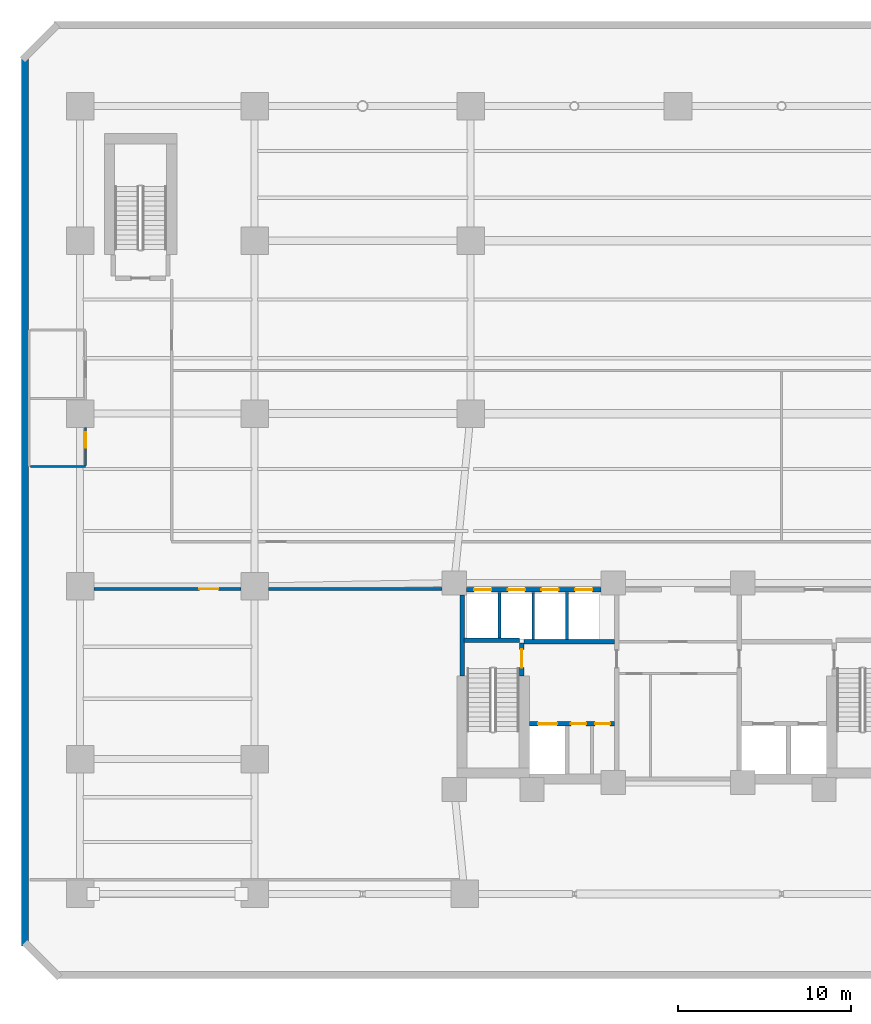
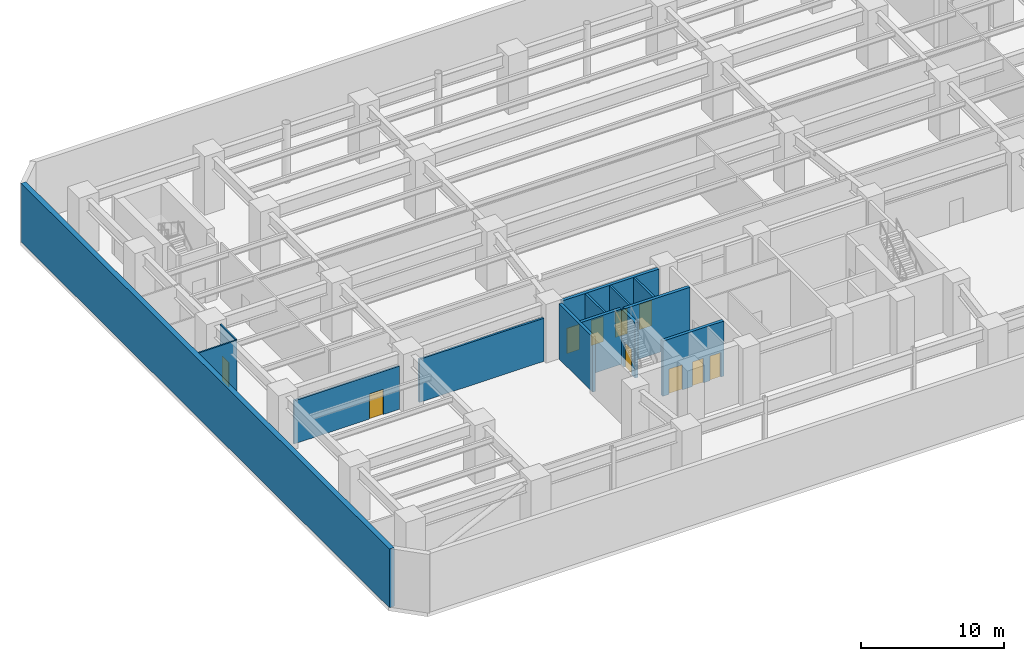
# One storey, part 6 of 12: 14 walls, 10 doors, 10 openings.
"""IFC4 building model written with IfcOpenShell, lengths in metres."""

from ifc_helpers import new_model, si_unit, direction, frame, frame_2d, origin, place, context, subcontext, project, spatial, rectangle, extrude, material, layer, layer_set, type_object, element, fill, save


model = new_model("IFC4")

# Units and contexts
model_context = context("Model", 3, precision=1e-05, world=origin(), true_north=direction((0.0, 1.0)))
body_context = subcontext(model_context, "Body", "Model", "MODEL_VIEW")
ifc_project = project(units=[si_unit("LENGTHUNIT", "METRE"), si_unit("AREAUNIT", "SQUARE_METRE"), si_unit("VOLUMEUNIT", "CUBIC_METRE"), si_unit("PLANEANGLEUNIT", "RADIAN"), si_unit("MASSUNIT", "GRAM", prefix="KILO")], contexts=[model_context])

# Site, building, storey
site_placement = place(None, origin())
site = spatial("IfcSite", under=ifc_project, at=site_placement, CompositionType="ELEMENT")
building_placement = place(site_placement, origin())
building = spatial("IfcBuilding", under=site, at=building_placement, Name="Quenlor Broadcast Tower", CompositionType="ELEMENT")
storey_placement = place(building_placement, frame((0.0, 0.0, -5.0)))
storey = spatial("IfcBuildingStorey", under=building, at=storey_placement, Name="B01", CompositionType="ELEMENT", Elevation=-5.0)

# Wall, opening, door
ifc_material_1 = material(Name="Concrete C40/50", Category="concrete")
ifc_layer_1 = layer(ifc_material_1, 0.25)
ifc_layer_set_1 = layer_set([ifc_layer_1], Name="Fire Rated Concrete C40/50 Core Wall 250")
wall_type_1 = type_object("IfcWallType", Name="Fire Rated Concrete C40/50 Core Wall 250", PredefinedType="PARTITIONING", material=ifc_layer_set_1)
wall_1_placement = place(storey_placement, frame((-9.0400390625, -10.179931640625, 0.0), z_axis=(0.0, 0.0, 1.0), x_axis=(0.0, 1.0, 0.0)))
wall_1 = element("IfcWall", 1, at=wall_1_placement, inside=storey, type_object=wall_type_1, Name="B01 Interior Wall CW-ST1-DR", PredefinedType="PARTITIONING", context=body_context, shape_type="SweptSolid", body=[
    extrude(rectangle(XDim=1.89990234375, YDim=0.25, at=frame_2d((0.949951171875, 0.0))), origin(), (0.0, 0.0, 1.0), 4.699951171875),
])
opening_1_placement = place(wall_1_placement, frame((0.47998046875, 0.0, 0.0)))
opening_1 = element("IfcOpeningElement", 2, at=opening_1_placement, cuts=wall_1, Name="Opening FD-1", PredefinedType="OPENING", context=body_context, shape_type="SweptSolid", body=[
    extrude(rectangle(XDim=1.050048828125, YDim=2.14990234375, at=frame_2d((0.52490234375, 1.074951171875))), frame((0.0, 0.135009765625, 0.0), z_axis=(0.0, -1.0, 0.0), x_axis=(1.0, 0.0, 0.0)), (0.0, 0.0, 1.0), 0.27001953125),
])
ifc_material_2 = material(Name="Fire Rated Steel Door Leaf", Category="steel")
door_type_1 = type_object("IfcDoorType", Name="Fire Isolated Stair Door 1050x2150", OperationType="NOTDEFINED", PredefinedType="DOOR", material=ifc_material_2)
door_1_placement = place(opening_1_placement, origin())
door_1 = element("IfcDoor", 3, at=door_1_placement, inside=storey, type_object=door_type_1, Name="B01 Door DR-ST1", OperationType="SINGLE_SWING_LEFT", OverallHeight=2.14990234375, OverallWidth=1.050048828125, PredefinedType="DOOR", context=body_context, shape_type="SweptSolid", body=[
    extrude(rectangle(XDim=1.050048828125, YDim=2.14990234375, at=frame_2d((0.52490234375, 1.074951171875))), frame((0.0, 0.02490234375, 0.0), z_axis=(0.0, -1.0, 0.0), x_axis=(1.0, 0.0, 0.0)), (0.0, 0.0, 1.0), 0.050048828125),
])
fill(opening_1, door_1)

# Walls
wall_2_placement = place(storey_placement, frame((-12.3798828125, -8.1201171875, 0.0), z_axis=(0.0, 0.0, 1.0), x_axis=(1.0, 0.0, 0.0)))
element("IfcWall", 4, at=wall_2_placement, inside=storey, type_object=wall_type_1, Name="B01 Interior Wall CW-ST1-N", PredefinedType="PARTITIONING", context=body_context, shape_type="SweptSolid", body=[
    extrude(rectangle(XDim=3.219970703125, YDim=0.25, at=frame_2d((1.60986328125, 0.0))), origin(), (0.0, 0.0, 1.0), 4.699951171875),
])
wall_3_placement = place(storey_placement, frame((-12.47998046875, -10.179931640625, 0.0), z_axis=(0.0, 0.0, 1.0), x_axis=(0.0, 1.0, 0.0)))
element("IfcWall", 5, at=wall_3_placement, inside=storey, type_object=wall_type_1, Name="B01 Interior Wall CW-ST1-W2", PredefinedType="PARTITIONING", context=body_context, shape_type="SweptSolid", body=[
    extrude(rectangle(XDim=4.677978515625, YDim=0.25, at=frame_2d((2.3388671875, 0.0))), origin(), (0.0, 0.0, 1.0), 4.699951171875),
])

# Wall, openings, doors
wall_4_placement = place(storey_placement, frame((-8.597900390625, -12.949951171875, 0.0), z_axis=(0.0, 0.0, 1.0), x_axis=(1.0, 0.0, 0.0)))
wall_4 = element("IfcWall", 6, at=wall_4_placement, inside=storey, type_object=wall_type_1, Name="B01 Interior Wall CW-FFW-S", PredefinedType="PARTITIONING", context=body_context, shape_type="SweptSolid", body=[
    extrude(rectangle(XDim=4.91796875, YDim=0.25, at=frame_2d((2.458984375, 0.0))), origin(), (0.0, 0.0, 1.0), 4.699951171875),
])
opening_2_placement = place(wall_4_placement, frame((0.498046875, 0.0, 0.0)))
opening_2 = element("IfcOpeningElement", 7, at=opening_2_placement, cuts=wall_4, Name="Opening LD-FFL-1", PredefinedType="OPENING", context=body_context, shape_type="SweptSolid", body=[
    extrude(rectangle(XDim=1.10009765625, YDim=2.14990234375, at=frame_2d((0.550048828125, 1.074951171875))), frame((0.0, 0.135009765625, 0.0), z_axis=(0.0, -1.0, 0.0), x_axis=(1.0, 0.0, 0.0)), (0.0, 0.0, 1.0), 0.27001953125),
])
opening_3_placement = place(wall_4_placement, frame((2.39794921875, 0.0, 0.0)))
opening_3 = element("IfcOpeningElement", 8, at=opening_3_placement, cuts=wall_4, Name="Opening TD-1", PredefinedType="OPENING", context=body_context, shape_type="SweptSolid", body=[
    extrude(rectangle(XDim=0.8798828125, YDim=2.10009765625, at=frame_2d((0.43994140625, 1.050048828125))), frame((0.0, 0.135009765625, 0.0), z_axis=(0.0, -1.0, 0.0), x_axis=(1.0, 0.0, 0.0)), (0.0, 0.0, 1.0), 0.27001953125),
])
opening_4_placement = place(wall_4_placement, frame((3.798095703125, 0.0, 0.0)))
opening_4 = element("IfcOpeningElement", 9, at=opening_4_placement, cuts=wall_4, Name="Opening TD-1", PredefinedType="OPENING", context=body_context, shape_type="SweptSolid", body=[
    extrude(rectangle(XDim=0.8798828125, YDim=2.10009765625, at=frame_2d((0.43994140625, 1.050048828125))), frame((0.0, 0.135009765625, 0.0), z_axis=(0.0, -1.0, 0.0), x_axis=(1.0, 0.0, 0.0)), (0.0, 0.0, 1.0), 0.27001953125),
])
ifc_material_3 = material(Name="Brushed Stainless Steel", Category="steel")
door_type_2 = type_object("IfcDoorType", Name="Emergency Lift Sliding Landing Door 1100x2150", OperationType="NOTDEFINED", PredefinedType="DOOR", material=ifc_material_3)
door_2_placement = place(opening_2_placement, origin())
door_2 = element("IfcDoor", 10, at=door_2_placement, inside=storey, type_object=door_type_2, Name="B01 Door LD-FFL-1", OperationType="SLIDING_TO_LEFT", OverallHeight=2.14990234375, OverallWidth=1.10009765625, PredefinedType="DOOR", context=body_context, shape_type="SweptSolid", body=[
    extrude(rectangle(XDim=1.10009765625, YDim=2.14990234375, at=frame_2d((0.550048828125, 1.074951171875))), frame((0.0, 0.02490234375, 0.0), z_axis=(0.0, -1.0, 0.0), x_axis=(1.0, 0.0, 0.0)), (0.0, 0.0, 1.0), 0.050048828125),
])
fill(opening_2, door_2)
ifc_material_4 = material(Name="Fire Rated Steel Access Panel", Category="steel")
door_type_3 = type_object("IfcDoorType", Name="Riser Shaft Rated Access Trapdoor 880x2100", OperationType="NOTDEFINED", PredefinedType="TRAPDOOR", material=ifc_material_4)
door_3_placement = place(opening_3_placement, origin())
door_3 = element("IfcDoor", 11, at=door_3_placement, inside=storey, type_object=door_type_3, Name="B01 Door DR-ELR", OperationType="SINGLE_SWING_LEFT", OverallHeight=2.10009765625, OverallWidth=0.8798828125, PredefinedType="TRAPDOOR", context=body_context, shape_type="SweptSolid", body=[
    extrude(rectangle(XDim=0.8798828125, YDim=2.10009765625, at=frame_2d((0.43994140625, 1.050048828125))), frame((0.0, 0.02490234375, 0.0), z_axis=(0.0, -1.0, 0.0), x_axis=(1.0, 0.0, 0.0)), (0.0, 0.0, 1.0), 0.050048828125),
])
fill(opening_3, door_3)
door_4_placement = place(opening_4_placement, origin())
door_4 = element("IfcDoor", 12, at=door_4_placement, inside=storey, type_object=door_type_3, Name="B01 Door DR-CMR", OperationType="SINGLE_SWING_RIGHT", OverallHeight=2.10009765625, OverallWidth=0.8798828125, PredefinedType="TRAPDOOR", context=body_context, shape_type="SweptSolid", body=[
    extrude(rectangle(XDim=0.8798828125, YDim=2.10009765625, at=frame_2d((0.43994140625, 1.050048828125))), frame((0.0, 0.02490234375, 0.0), z_axis=(0.0, -1.0, 0.0), x_axis=(1.0, 0.0, 0.0)), (0.0, 0.0, 1.0), 0.050048828125),
])
fill(opening_4, door_4)

# Wall
wall_5_placement = place(storey_placement, frame((-8.919921875, -8.199951171875, 0.0), z_axis=(0.0, 0.0, 1.0), x_axis=(1.0, 0.0, 0.0)))
element("IfcWall", 13, at=wall_5_placement, inside=storey, type_object=wall_type_1, Name="B01 Interior Wall CW-FFW-N", PredefinedType="PARTITIONING", context=body_context, shape_type="SweptSolid", body=[
    extrude(rectangle(XDim=5.239990234375, YDim=0.25, at=frame_2d((2.6201171875, 0.0))), origin(), (0.0, 0.0, 1.0), 4.699951171875),
])

# Wall, openings, doors
wall_6_placement = place(storey_placement, frame((-12.248046875, -5.199951171875, 0.0), z_axis=(0.0, 0.0, 1.0), x_axis=(1.0, 0.0, 0.0)))
wall_6 = element("IfcWall", 14, at=wall_6_placement, inside=storey, type_object=wall_type_1, Name="B01 Interior Wall CW-N-W", PredefinedType="PARTITIONING", context=body_context, shape_type="SweptSolid", body=[
    extrude(rectangle(XDim=7.796142578125, YDim=0.25, at=frame_2d((3.89794921875, 0.0))), origin(), (0.0, 0.0, 1.0), 4.699951171875),
])
opening_5_placement = place(wall_6_placement, frame((0.447998046875, 0.0, 0.0)))
opening_5 = element("IfcOpeningElement", 15, at=opening_5_placement, cuts=wall_6, Name="Opening LD-PL-L1", PredefinedType="OPENING", context=body_context, shape_type="SweptSolid", body=[
    extrude(rectangle(XDim=1.0, YDim=2.14990234375, at=frame_2d((0.5, 1.074951171875))), frame((0.0, 0.135009765625, 0.0), z_axis=(0.0, -1.0, 0.0), x_axis=(1.0, 0.0, 0.0)), (0.0, 0.0, 1.0), 0.27001953125),
])
opening_6_placement = place(wall_6_placement, frame((2.39794921875, 0.0, 0.0)))
opening_6 = element("IfcOpeningElement", 16, at=opening_6_placement, cuts=wall_6, Name="Opening LD-PL-L2", PredefinedType="OPENING", context=body_context, shape_type="SweptSolid", body=[
    extrude(rectangle(XDim=1.0, YDim=2.14990234375, at=frame_2d((0.5, 1.074951171875))), frame((0.0, 0.135009765625, 0.0), z_axis=(0.0, -1.0, 0.0), x_axis=(1.0, 0.0, 0.0)), (0.0, 0.0, 1.0), 0.27001953125),
])
opening_7_placement = place(wall_6_placement, frame((4.347900390625, 0.0, 0.0)))
opening_7 = element("IfcOpeningElement", 17, at=opening_7_placement, cuts=wall_6, Name="Opening LD-PL-L3", PredefinedType="OPENING", context=body_context, shape_type="SweptSolid", body=[
    extrude(rectangle(XDim=1.0, YDim=2.14990234375, at=frame_2d((0.5, 1.074951171875))), frame((0.0, 0.135009765625, 0.0), z_axis=(0.0, -1.0, 0.0), x_axis=(1.0, 0.0, 0.0)), (0.0, 0.0, 1.0), 0.27001953125),
])
opening_8_placement = place(wall_6_placement, frame((6.298095703125, 0.0, 0.0)))
opening_8 = element("IfcOpeningElement", 18, at=opening_8_placement, cuts=wall_6, Name="Opening LD-PL-L4", PredefinedType="OPENING", context=body_context, shape_type="SweptSolid", body=[
    extrude(rectangle(XDim=1.0, YDim=2.14990234375, at=frame_2d((0.5, 1.074951171875))), frame((0.0, 0.135009765625, 0.0), z_axis=(0.0, -1.0, 0.0), x_axis=(1.0, 0.0, 0.0)), (0.0, 0.0, 1.0), 0.27001953125),
])
ifc_material_5 = material(Name="Brushed Stainless Steel", Category="steel")
door_type_4 = type_object("IfcDoorType", Name="Passenger Lift Sliding Landing Door 1000x2150", OperationType="NOTDEFINED", PredefinedType="DOOR", material=ifc_material_5)
door_5_placement = place(opening_5_placement, origin())
door_5 = element("IfcDoor", 19, at=door_5_placement, inside=storey, type_object=door_type_4, Name="B01 Door LD-PL-L1", OperationType="SLIDING_TO_LEFT", OverallHeight=2.14990234375, OverallWidth=1.0, PredefinedType="DOOR", context=body_context, shape_type="SweptSolid", body=[
    extrude(rectangle(XDim=1.0, YDim=2.14990234375, at=frame_2d((0.5, 1.074951171875))), frame((0.0, 0.02490234375, 0.0), z_axis=(0.0, -1.0, 0.0), x_axis=(1.0, 0.0, 0.0)), (0.0, 0.0, 1.0), 0.050048828125),
])
fill(opening_5, door_5)
door_6_placement = place(opening_6_placement, origin())
door_6 = element("IfcDoor", 20, at=door_6_placement, inside=storey, type_object=door_type_4, Name="B01 Door LD-PL-L2", OperationType="SLIDING_TO_LEFT", OverallHeight=2.14990234375, OverallWidth=1.0, PredefinedType="DOOR", context=body_context, shape_type="SweptSolid", body=[
    extrude(rectangle(XDim=1.0, YDim=2.14990234375, at=frame_2d((0.5, 1.074951171875))), frame((0.0, 0.02490234375, 0.0), z_axis=(0.0, -1.0, 0.0), x_axis=(1.0, 0.0, 0.0)), (0.0, 0.0, 1.0), 0.050048828125),
])
fill(opening_6, door_6)
door_7_placement = place(opening_7_placement, origin())
door_7 = element("IfcDoor", 21, at=door_7_placement, inside=storey, type_object=door_type_4, Name="B01 Door LD-PL-L3", OperationType="SLIDING_TO_LEFT", OverallHeight=2.14990234375, OverallWidth=1.0, PredefinedType="DOOR", context=body_context, shape_type="SweptSolid", body=[
    extrude(rectangle(XDim=1.0, YDim=2.14990234375, at=frame_2d((0.5, 1.074951171875))), frame((0.0, 0.02490234375, 0.0), z_axis=(0.0, -1.0, 0.0), x_axis=(1.0, 0.0, 0.0)), (0.0, 0.0, 1.0), 0.050048828125),
])
fill(opening_7, door_7)
door_8_placement = place(opening_8_placement, origin())
door_8 = element("IfcDoor", 22, at=door_8_placement, inside=storey, type_object=door_type_4, Name="B01 Door LD-PL-L4", OperationType="SLIDING_TO_LEFT", OverallHeight=2.14990234375, OverallWidth=1.0, PredefinedType="DOOR", context=body_context, shape_type="SweptSolid", body=[
    extrude(rectangle(XDim=1.0, YDim=2.14990234375, at=frame_2d((0.5, 1.074951171875))), frame((0.0, 0.02490234375, 0.0), z_axis=(0.0, -1.0, 0.0), x_axis=(1.0, 0.0, 0.0)), (0.0, 0.0, 1.0), 0.050048828125),
])
fill(opening_8, door_8)

# Walls
ifc_material_6 = material(Name="Gypsum Fireboard Partition", Category="other")
ifc_layer_2 = layer(ifc_material_6, 0.159912109375)
ifc_layer_set_2 = layer_set([ifc_layer_2], Name="Fire Rated Shaft and Corridor Partition 160")
wall_type_2 = type_object("IfcWallType", Name="Fire Rated Shaft and Corridor Partition 160", PredefinedType="PARTITIONING", material=ifc_layer_set_2)
wall_7_placement = place(storey_placement, frame((-10.324951171875, -7.992919921875, 0.0), z_axis=(0.0, 0.0, 1.0), x_axis=(0.0, 1.0, 0.0)))
element("IfcWall", 23, at=wall_7_placement, inside=storey, type_object=wall_type_2, Name="B01 Interior Wall CW-PLL-D1", PredefinedType="PARTITIONING", context=body_context, shape_type="SweptSolid", body=[
    extrude(rectangle(XDim=2.65283203125, YDim=0.159912109375, at=frame_2d((1.326416015625, 0.0))), origin(), (0.0, 0.0, 1.0), 4.699951171875),
])
for number, where, z_axis, x_axis, name in (
    (24, (-8.375, -8.072998046875, 0.0), (0.0, 0.0, 1.0), (0.0, 1.0, 0.0), "B01 Interior Wall CW-PLL-D2"),
    (25, (-6.425048828125, -8.072998046875, 0.0), (0.0, 0.0, 1.0), (0.0, 1.0, 0.0), "B01 Interior Wall CW-PLL-D3"),
):
    element("IfcWall", number, at=place(storey_placement, frame(where, z_axis=z_axis, x_axis=x_axis)), inside=storey, type_object=wall_type_2, Name=name, PredefinedType="PARTITIONING", context=body_context, shape_type="SweptSolid", body=[
        extrude(rectangle(XDim=2.73291015625, YDim=0.159912109375, at=frame_2d((1.366455078125, 0.0))), origin(), (0.0, 0.0, 1.0), 4.699951171875),
    ])

# Wall, opening, door
wall_8_placement = place(storey_placement, frame((-33.798095703125, -5.14990234375, 0.0), z_axis=(0.0, 0.0, 1.0), x_axis=(1.0, 0.0, 0.0)))
wall_8 = element("IfcWall", 26, at=wall_8_placement, inside=storey, type_object=wall_type_2, Name="B01 Interior Wall PW-PD-CSW", PredefinedType="PARTITIONING", context=body_context, shape_type="SweptSolid", body=[
    extrude(rectangle(XDim=8.49609375, YDim=0.159912109375, at=frame_2d((4.248046875, 0.0))), origin(), (0.0, 0.0, 1.0), 3.676025390625),
])
opening_9_placement = place(wall_8_placement, frame((6.097900390625, 0.0, 0.0)))
opening_9 = element("IfcOpeningElement", 27, at=opening_9_placement, cuts=wall_8, Name="Opening ID-2", PredefinedType="OPENING", context=body_context, shape_type="SweptSolid", body=[
    extrude(rectangle(XDim=1.10009765625, YDim=2.14990234375, at=frame_2d((0.550048828125, 1.074951171875))), frame((0.0, 0.08984375, 0.0), z_axis=(0.0, -1.0, 0.0), x_axis=(1.0, 0.0, 0.0)), (0.0, 0.0, 1.0), 0.179931640625),
])
ifc_material_7 = material(Name="Acoustic Laminated Timber Oak", Category="wood")
door_type_5 = type_object("IfcDoorType", Name="Wide Studio Acoustic Timber Door 1100x2150", OperationType="NOTDEFINED", PredefinedType="DOOR", material=ifc_material_7)
door_9_placement = place(opening_9_placement, origin())
door_9 = element("IfcDoor", 28, at=door_9_placement, inside=storey, type_object=door_type_5, Name="B01 Door DR-PD1", OperationType="SINGLE_SWING_LEFT", OverallHeight=2.14990234375, OverallWidth=1.10009765625, PredefinedType="DOOR", context=body_context, shape_type="SweptSolid", body=[
    extrude(rectangle(XDim=1.10009765625, YDim=2.14990234375, at=frame_2d((0.550048828125, 1.074951171875))), frame((0.0, 0.02490234375, 0.0), z_axis=(0.0, -1.0, 0.0), x_axis=(1.0, 0.0, 0.0)), (0.0, 0.0, 1.0), 0.050048828125),
])
fill(opening_9, door_9)

# Wall
wall_9_placement = place(storey_placement, frame((-23.697998046875, -5.14990234375, 0.0), z_axis=(0.0, 0.0, 1.0), x_axis=(1.0, 0.0, 0.0)))
element("IfcWall", 29, at=wall_9_placement, inside=storey, type_object=wall_type_2, Name="B01 Interior Wall PW-PD-CSWS2", PredefinedType="PARTITIONING", context=body_context, shape_type="SweptSolid", body=[
    extrude(rectangle(XDim=10.0458984375, YDim=0.159912109375, at=frame_2d((5.02294921875, 0.0))), origin(), (0.0, 0.0, 1.0), 3.676025390625),
])

# Wall, opening, door
ifc_material_8 = material(Name="Gypsum Plasterboard Partition", Category="other")
ifc_layer_3 = layer(ifc_material_8, 0.1201171875)
ifc_layer_set_3 = layer_set([ifc_layer_3], Name="Standard Office Partition 120")
wall_type_3 = type_object("IfcWallType", Name="Standard Office Partition 120", PredefinedType="PARTITIONING", material=ifc_layer_set_3)
wall_10_placement = place(storey_placement, frame((-34.280029296875, 2.010009765625, 0.0), z_axis=(0.0, 0.0, 1.0), x_axis=(0.0, 1.0, 0.0)))
wall_10 = element("IfcWall", 30, at=wall_10_placement, inside=storey, type_object=wall_type_3, Name="B01 Interior Wall PW-PD-WCE", PredefinedType="PARTITIONING", context=body_context, shape_type="SweptSolid", body=[
    extrude(rectangle(XDim=2.18798828125, YDim=0.1201171875, at=frame_2d((1.093994140625, 0.0))), origin(), (0.0, 0.0, 1.0), 4.699951171875),
])
opening_10_placement = place(wall_10_placement, frame((1.02001953125, 0.0, 0.0)))
opening_10 = element("IfcOpeningElement", 31, at=opening_10_placement, cuts=wall_10, Name="Opening ID-3", PredefinedType="OPENING", context=body_context, shape_type="SweptSolid", body=[
    extrude(rectangle(XDim=0.89990234375, YDim=2.1201171875, at=frame_2d((0.449951171875, 1.06005859375))), frame((0.0, 0.070068359375, 0.0), z_axis=(0.0, -1.0, 0.0), x_axis=(1.0, 0.0, 0.0)), (0.0, 0.0, 1.0), 0.14013671875),
])
ifc_material_9 = material(Name="Moisture Resistant Timber Oak", Category="wood")
door_type_6 = type_object("IfcDoorType", Name="Washroom Privacy Door 900x2120", OperationType="NOTDEFINED", PredefinedType="DOOR", material=ifc_material_9)
door_10_placement = place(opening_10_placement, origin())
door_10 = element("IfcDoor", 32, at=door_10_placement, inside=storey, type_object=door_type_6, Name="B01 Door DR-PD-MWC", OperationType="SINGLE_SWING_LEFT", OverallHeight=2.1201171875, OverallWidth=0.89990234375, PredefinedType="DOOR", context=body_context, shape_type="SweptSolid", body=[
    extrude(rectangle(XDim=0.89990234375, YDim=2.1201171875, at=frame_2d((0.449951171875, 1.06005859375))), frame((0.0, 0.02490234375, 0.0), z_axis=(0.0, -1.0, 0.0), x_axis=(1.0, 0.0, 0.0)), (0.0, 0.0, 1.0), 0.050048828125),
])
fill(opening_10, door_10)

# Walls
wall_11_placement = place(storey_placement, frame((-37.488037109375, 1.949951171875, 0.0), z_axis=(0.0, 0.0, 1.0), x_axis=(1.0, 0.0, 0.0)))
element("IfcWall", 33, at=wall_11_placement, inside=storey, type_object=wall_type_3, Name="B01 Interior Wall PW-PD-WCS", PredefinedType="PARTITIONING", context=body_context, shape_type="SweptSolid", body=[
    extrude(rectangle(XDim=3.2080078125, YDim=0.1201171875, at=frame_2d((1.60400390625, 0.0))), origin(), (0.0, 0.0, 1.0), 4.699951171875),
])
ifc_material_10 = material(Name="Concrete C50/60", Category="concrete")
ifc_layer_4 = layer(ifc_material_10, 0.39990234375)
ifc_layer_set_4 = layer_set([ifc_layer_4], Name="Upper Basement Concrete C50/60 Retaining Wall 400")
wall_type_4 = type_object("IfcWallType", Name="Upper Basement Concrete C50/60 Retaining Wall 400", PredefinedType="USERDEFINED", material=ifc_layer_set_4)
wall_12_placement = place(storey_placement, frame((-37.800048828125, -25.817138671875, 0.0), z_axis=(0.0, 0.0, 1.0), x_axis=(0.0, 1.0, 0.0)))
element("IfcWall", 34, at=wall_12_placement, inside=storey, type_object=wall_type_4, Name="B01 Perimeter Retaining Wall 2", ObjectType="RETAININGWALL", PredefinedType="USERDEFINED", context=body_context, shape_type="SweptSolid", body=[
    extrude(rectangle(XDim=51.434326171875, YDim=0.39990234375, at=frame_2d((25.71728515625, 0.0))), origin(), (0.0, 0.0, 1.0), 5.0),
])

save(model, "model.ifc")
